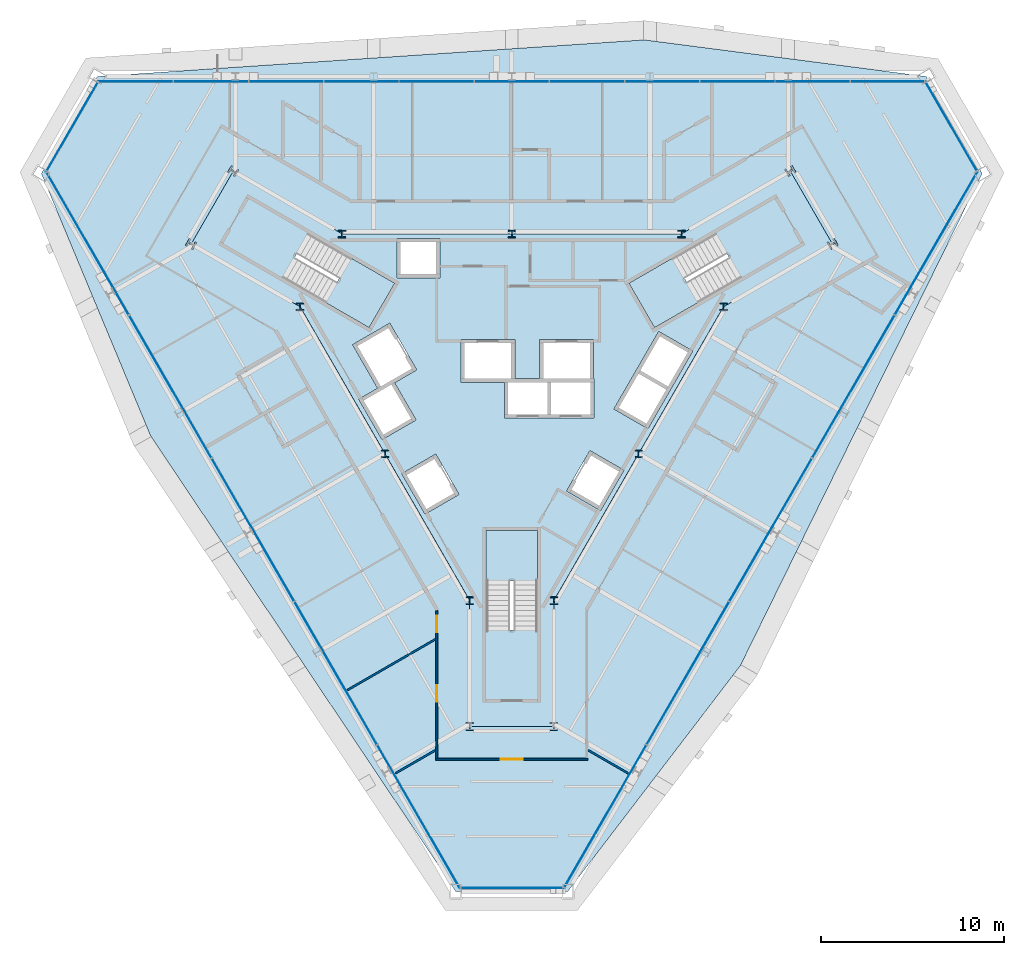
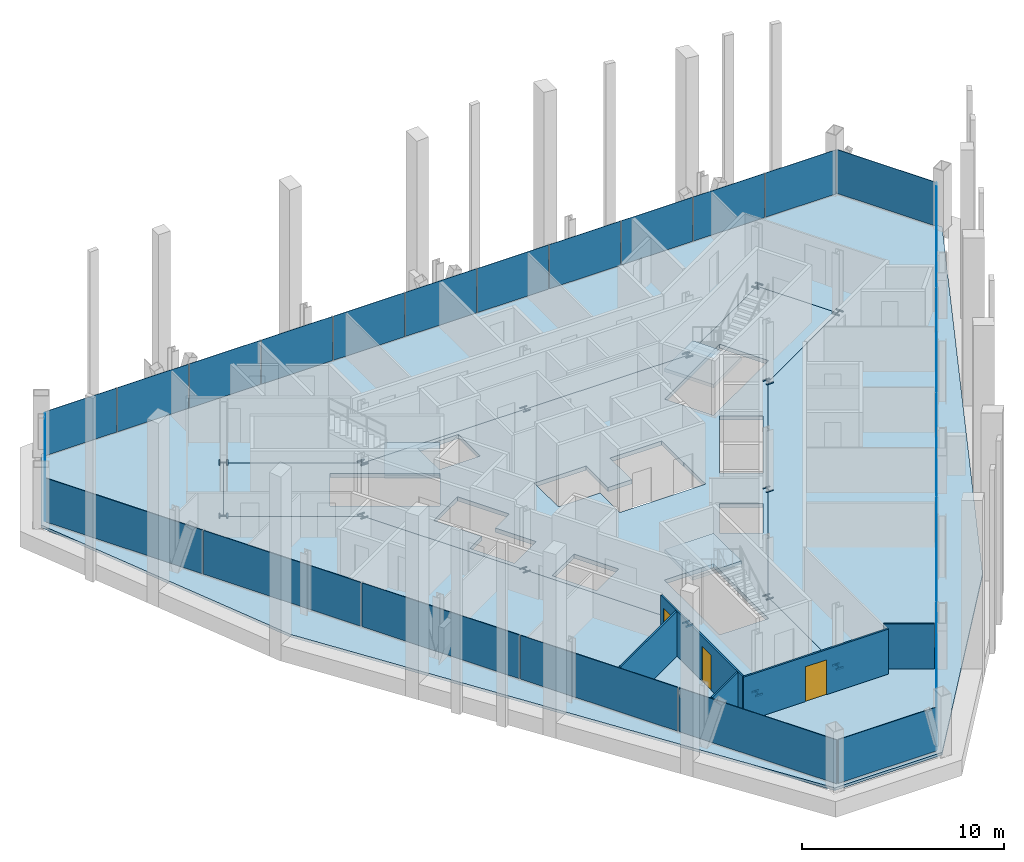
# One storey, part 8 of 14: 24 plates, 15 members, 5 slabs, 5 walls, 3 doors, 3 openings, 9 elements without a shape of their own.
"""IFC4 building model written with IfcOpenShell, lengths in metres."""

import ifcopenshell
import ifcopenshell.guid

model = None  # the IFC model being written
_history = None  # IfcOwnerHistory: only IFC2X3 demands one
_inside = {}  # id of a spatial element -> (the spatial element, [elements in it])
_under = {}  # id of a project, library or spatial element -> (it, [spatial elements below it])
_declared = {}  # id of a project -> (the project, [libraries it declares])
_typed = {}  # id of a type object -> (the type object, [elements of that type])
_made_of = {}  # id of a material, layer set ... -> (it, [elements and type objects made of it])


def new_model(schema):
    """Start an empty IFC model of exactly this schema.

    Asked for "IFC4X3", IfcOpenShell would pick the latest addendum, in which some entities
    have other attributes; the version numbers below select the first issue.
    IFC2X3 requires an IfcOwnerHistory on every rooted entity: one is made here for all.
    """
    global model, _history
    if schema == "IFC4X3":
        model = ifcopenshell.file(schema_version=(4, 3, 0, 0))
    else:
        model = ifcopenshell.file(schema=schema)
    _inside.clear()
    _under.clear()
    _declared.clear()
    _typed.clear()
    _made_of.clear()
    _history = None
    if model.schema == "IFC2X3":
        org = make("IfcOrganization", Name="unknown")
        user = make(
            "IfcPersonAndOrganization",
            ThePerson=make("IfcPerson", FamilyName="unknown"),
            TheOrganization=org,
        )
        app = make(
            "IfcApplication",
            ApplicationDeveloper=org,
            Version="unknown",
            ApplicationFullName="unknown",
            ApplicationIdentifier="unknown",
        )
        _history = make(
            "IfcOwnerHistory",
            OwningUser=user,
            OwningApplication=app,
            ChangeAction="ADDED",
            CreationDate=0,
        )
    return model


def make(cls, **values):
    """One entity of the class cls with the attributes given. An attribute that is None is left unset."""
    return model.create_entity(
        cls, **{name: value for name, value in values.items() if value is not None}
    )


def rooted(cls, **values):
    """An entity with a GlobalId (a new one), such as an element, a storey or a relation."""
    return make(cls, GlobalId=ifcopenshell.guid.new(), OwnerHistory=_history, **values)


def si_unit(unit_type, name, prefix=None):
    """IfcSIUnit, for example si_unit("LENGTHUNIT", "METRE", prefix="MILLI")."""
    return make("IfcSIUnit", UnitType=unit_type, Prefix=prefix, Name=name)


def assignment(units):
    """IfcUnitAssignment: the units of a project."""
    return None if units is None else make("IfcUnitAssignment", Units=units)


def point(xyz):
    """IfcCartesianPoint."""
    return None if xyz is None else make("IfcCartesianPoint", Coordinates=xyz)


def direction(xyz):
    """IfcDirection."""
    return None if xyz is None else make("IfcDirection", DirectionRatios=xyz)


def frame(location, z_axis=None, x_axis=None):
    """IfcAxis2Placement3D, a coordinate frame: its origin and axes. An axis left out is left unset."""
    return make(
        "IfcAxis2Placement3D",
        Location=point(location),
        Axis=direction(z_axis),
        RefDirection=direction(x_axis),
    )


def frame_2d(location, x_axis=None):
    """IfcAxis2Placement2D, a coordinate frame in the plane: its origin and x axis."""
    return make(
        "IfcAxis2Placement2D", Location=point(location), RefDirection=direction(x_axis)
    )


def origin():
    """The frame at (0, 0, 0) with its axes left unset."""
    return frame((0.0, 0.0, 0.0))


def origin_2d():
    """The frame at (0, 0) in the plane with its x axis left unset."""
    return frame_2d((0.0, 0.0))


def place(relative_to, where):
    """IfcLocalPlacement: puts the frame where relative to a parent placement (None: the world)."""
    return make(
        "IfcLocalPlacement", PlacementRelTo=relative_to, RelativePlacement=where
    )


def context(
    kind, dimensions, precision=None, world=None, true_north=None, identifier=None
):
    """IfcGeometricRepresentationContext, for example the 3D "Model" context."""
    return make(
        "IfcGeometricRepresentationContext",
        ContextIdentifier=identifier,
        ContextType=kind,
        CoordinateSpaceDimension=dimensions,
        Precision=precision,
        WorldCoordinateSystem=world,
        TrueNorth=true_north,
    )


def subcontext(parent, identifier, kind, view, scale=None):
    """IfcGeometricRepresentationSubContext, for example "Body" below "Model"."""
    return make(
        "IfcGeometricRepresentationSubContext",
        ContextIdentifier=identifier,
        ContextType=kind,
        ParentContext=parent,
        TargetScale=scale,
        TargetView=view,
    )


def project(units=None, contexts=None):
    """IfcProject with its units and contexts."""
    return rooted(
        "IfcProject",
        Name="project",
        RepresentationContexts=contexts,
        UnitsInContext=assignment(units),
    )


def spatial(cls, under=None, at=None, **own):
    """A site, building, storey or space (cls), placed at a placement, below another one or the project."""
    s = rooted(cls, ObjectPlacement=at, **own)
    if under is not None:
        _under.setdefault(under.id(), (under, []))[1].append(s)
    return s


def polyline(points):
    """IfcPolyline through the points."""
    return make("IfcPolyline", Points=[point(p) for p in points])


def profile(cls, at=None, kind="AREA", **sizes):
    """A parametric profile (cls). Its sizes go by their IFC names, for example OverallWidth=200.0."""
    return make(cls, ProfileType=kind, Position=at, **sizes)


def rectangle(**sizes):
    """IfcRectangleProfileDef."""
    return profile("IfcRectangleProfileDef", **sizes)


def i_section(**sizes):
    """IfcIShapeProfileDef."""
    return profile("IfcIShapeProfileDef", **sizes)


def outline(outer, holes=None, kind="AREA"):
    """IfcArbitraryClosedProfileDef: a profile drawn as a closed curve; with holes, ...WithVoids."""
    if holes is None:
        return make("IfcArbitraryClosedProfileDef", ProfileType=kind, OuterCurve=outer)
    return make(
        "IfcArbitraryProfileDefWithVoids",
        ProfileType=kind,
        OuterCurve=outer,
        InnerCurves=holes,
    )


def extrude(swept, where, along, depth):
    """IfcExtrudedAreaSolid: the profile swept, set in the frame where, extruded along a direction by depth."""
    return make(
        "IfcExtrudedAreaSolid",
        SweptArea=swept,
        Position=where,
        ExtrudedDirection=direction(along),
        Depth=depth,
    )


def shape(context_of_items, identifier, shape_type, items):
    """IfcShapeRepresentation: the items that make up one representation, for example the "Body"."""
    return make(
        "IfcShapeRepresentation",
        ContextOfItems=context_of_items,
        RepresentationIdentifier=identifier,
        RepresentationType=shape_type,
        Items=items,
    )


def material(Name=None, Category=None):
    """IfcMaterial."""
    return make("IfcMaterial", Name=Name, Category=Category)


def layer(
    of_material, thickness, ventilated=None, Name=None, Category=None, Priority=None
):
    """IfcMaterialLayer: one layer of a wall or slab, of a material (None: an air gap)."""
    return make(
        "IfcMaterialLayer",
        Material=of_material,
        LayerThickness=thickness,
        IsVentilated=ventilated,
        Name=Name,
        Category=Category,
        Priority=Priority,
    )


def layer_set(layers, Name=None):
    """IfcMaterialLayerSet."""
    return make("IfcMaterialLayerSet", MaterialLayers=layers, LayerSetName=Name)


def material_profile(
    of_material, cross_section, Name=None, Category=None, Priority=None
):
    """IfcMaterialProfile: a cross section and its material."""
    return make(
        "IfcMaterialProfile",
        Name=Name,
        Material=of_material,
        Profile=cross_section,
        Priority=Priority,
        Category=Category,
    )


def profile_set(profiles, Name=None, composite=None):
    """IfcMaterialProfileSet."""
    return make(
        "IfcMaterialProfileSet",
        Name=Name,
        MaterialProfiles=profiles,
        CompositeProfile=composite,
    )


def made_of(thing, what):
    """Note that an element or type object is made of a material, layer set ...; save() writes the relation."""
    if what is not None:
        _made_of.setdefault(what.id(), (what, []))[1].append(thing)
    return thing


def type_object(cls, material=None, **own):
    """A type object (cls), such as IfcWallType, which elements share."""
    return made_of(rooted(cls, **own), material)


def element(
    cls,
    number,
    at=None,
    inside=None,
    cuts=None,
    type_object=None,
    material=None,
    context=None,
    identifier="Body",
    shape_type=None,
    held_by="IfcProductDefinitionShape",
    body=None,
    shapes=None,
    **own,
):
    """One element of the class cls, such as IfcWall. Its Tag is "e" and its number.

    at: its placement. inside: the storey or other place that contains it. cuts: it is an
    opening in that element (IfcRelVoidsElement). A single representation is given by context,
    identifier, shape_type and body (its items); several are given by shapes. held_by: the class
    of the entity that holds the representations. save() writes the other relations.
    """
    e = rooted(cls, Tag="e%d" % number, ObjectPlacement=at, **own)
    if body is not None:
        shapes = [shape(context, identifier, shape_type, body)]
    if shapes is not None:
        e.Representation = make(held_by, Representations=shapes)
    if inside is not None:
        _inside.setdefault(inside.id(), (inside, []))[1].append(e)
    if cuts is not None:
        rooted(
            "IfcRelVoidsElement", RelatingBuildingElement=cuts, RelatedOpeningElement=e
        )
    if type_object is not None:
        _typed.setdefault(type_object.id(), (type_object, []))[1].append(e)
    return made_of(e, material)


def fill(opening, filler):
    """IfcRelFillsElement: the door or window that sits in an opening."""
    return rooted(
        "IfcRelFillsElement",
        RelatingOpeningElement=opening,
        RelatedBuildingElement=filler,
    )


def aggregate(whole, parts):
    """IfcRelAggregates: a whole, such as a stair, and the parts it consists of."""
    return rooted("IfcRelAggregates", RelatingObject=whole, RelatedObjects=parts)


def save(model, path):
    """Write the relations noted so far, then the file.

    IfcRelAggregates (storeys below a building ...), IfcRelContainedInSpatialStructure (elements
    in a storey), IfcRelDefinesByType, IfcRelAssociatesMaterial and IfcRelDeclares: one each for
    every whole, place, type object, material and project.
    """
    for whole, parts in _under.values():
        aggregate(whole, parts)
    for where, things in _inside.values():
        rooted(
            "IfcRelContainedInSpatialStructure",
            RelatedElements=things,
            RelatingStructure=where,
        )
    for kind, things in _typed.values():
        rooted("IfcRelDefinesByType", RelatedObjects=things, RelatingType=kind)
    for what, things in _made_of.values():
        rooted("IfcRelAssociatesMaterial", RelatedObjects=things, RelatingMaterial=what)
    for by, libraries in _declared.values():
        rooted("IfcRelDeclares", RelatingContext=by, RelatedDefinitions=libraries)
    model.write(path)


model = new_model("IFC4")

# Units and contexts
model_context = context("Model", 3, precision=1e-05, world=origin(), true_north=direction((0.0, 1.0)))
body_context = subcontext(model_context, "Body", "Model", "MODEL_VIEW")
ifc_project = project(units=[si_unit("LENGTHUNIT", "METRE"), si_unit("AREAUNIT", "SQUARE_METRE"), si_unit("VOLUMEUNIT", "CUBIC_METRE"), si_unit("PLANEANGLEUNIT", "RADIAN"), si_unit("MASSUNIT", "GRAM", prefix="KILO")], contexts=[model_context])

# Site, building, storey
site_placement = place(None, origin())
site = spatial("IfcSite", under=ifc_project, at=site_placement, CompositionType="ELEMENT")
building_placement = place(site_placement, origin())
building = spatial("IfcBuilding", under=site, at=building_placement, Name="Verrane Prism Tower", CompositionType="ELEMENT")
storey_placement = place(building_placement, frame((0.0, 0.0, 148.800048828125)))
storey = spatial("IfcBuildingStorey", under=building, at=storey_placement, Name="L36", CompositionType="ELEMENT", Elevation=148.800048828125)

# Members
ifc_material_1 = material(Name="Steel A992", Category="steel")
ifc_material_profile_1 = material_profile(ifc_material_1, i_section(OverallWidth=0.4013671875, OverallDepth=0.398681640625, WebThickness=0.02490234375, FlangeThickness=0.03955078125, FilletRadius=0.01513671875, at=origin_2d()), Name="W14x211")
ifc_profile_set_1 = profile_set([ifc_material_profile_1], Name="Steel A992")
member_type_1 = type_object("IfcMemberType", Name="Kink node W14x211", PredefinedType="COLLAR", material=ifc_profile_set_1)
member_placement = place(storey_placement, frame((0.0, 8.00390625, -0.03515625), z_axis=(0.0, 0.0, 1.0), x_axis=(1.0, 0.0, 0.0)))
element("IfcMember", 1, at=member_placement, inside=storey, type_object=member_type_1, Name="Kink node CC3 L36", PredefinedType="COLLAR", context=body_context, shape_type="SweptSolid", body=[
    extrude(i_section(OverallWidth=0.4013671875, OverallDepth=0.398681640625, WebThickness=0.02490234375, FlangeThickness=0.03955078125, FilletRadius=0.01513671875, at=origin_2d()), origin(), (0.0, 0.0, 1.0), 0.070068359375),
])
for number, where, z_axis, x_axis, name in (
    (2, (11.572021484375, 4.02685546875, -0.06494140625), (0.0, 0.0, 1.0), (1.0, 0.0, 0.0), "Kink node CC3 L36"),
    (3, (9.27197265625, 8.0068359375, -0.06494140625), (0.0, 0.0, 1.0), (1.0, 0.0, 0.0), "Kink node CC3 L36"),
    (4, (-9.27197265625, 8.0068359375, -0.06494140625), (0.0, 0.0, 1.0), (1.0, 0.0, 0.0), "Kink node CC3 L36"),
    (5, (-11.572021484375, 4.02685546875, -0.06494140625), (0.0, 0.0, 1.0), (1.0, 0.0, 0.0), "Kink node CC3 L36"),
):
    element("IfcMember", number, at=place(storey_placement, frame(where, z_axis=z_axis, x_axis=x_axis)), inside=storey, type_object=member_type_1, Name=name, PredefinedType="COLLAR", context=body_context, shape_type="SweptSolid", body=[
        extrude(i_section(OverallWidth=0.4013671875, OverallDepth=0.398681640625, WebThickness=0.02490234375, FlangeThickness=0.03955078125, FilletRadius=0.01513671875, at=origin_2d()), origin(), (0.0, 0.0, 1.0), 0.1298828125),
    ])
for number, where, z_axis, x_axis, name in (
    (6, (6.93359375, -4.002197265625, -0.0400390625), (0.0, 0.0, 1.0), (1.0, 0.0, 0.0), "Kink node CC3 L36"),
    (7, (-6.93359375, -4.002197265625, -0.0400390625), (0.0, 0.0, 1.0), (1.0, 0.0, 0.0), "Kink node CC3 L36"),
):
    element("IfcMember", number, at=place(storey_placement, frame(where, z_axis=z_axis, x_axis=x_axis)), inside=storey, type_object=member_type_1, Name=name, PredefinedType="COLLAR", context=body_context, shape_type="SweptSolid", body=[
        extrude(i_section(OverallWidth=0.4013671875, OverallDepth=0.398681640625, WebThickness=0.02490234375, FlangeThickness=0.03955078125, FilletRadius=0.01513671875, at=origin_2d()), origin(), (0.0, 0.0, 1.0), 0.080078125),
    ])
for number, where, z_axis, x_axis, name in (
    (8, (-2.300048828125, -12.03076171875, -0.050048828125), (0.0, 0.0, 1.0), (1.0, 0.0, 0.0), "Kink node CC3 L36"),
    (9, (2.300048828125, -12.03076171875, -0.050048828125), (0.0, 0.0, 1.0), (1.0, 0.0, 0.0), "Kink node CC3 L36"),
):
    element("IfcMember", number, at=place(storey_placement, frame(where, z_axis=z_axis, x_axis=x_axis)), inside=storey, type_object=member_type_1, Name=name, PredefinedType="COLLAR", context=body_context, shape_type="SweptSolid", body=[
        extrude(i_section(OverallWidth=0.4013671875, OverallDepth=0.398681640625, WebThickness=0.02490234375, FlangeThickness=0.03955078125, FilletRadius=0.01513671875, at=origin_2d()), origin(), (0.0, 0.0, 1.0), 0.10009765625),
    ])
ifc_material_2 = material(Name="Steel A992", Category="steel")
ifc_material_profile_2 = material_profile(ifc_material_2, i_section(OverallWidth=0.411376953125, OverallDepth=0.434326171875, WebThickness=0.035888671875, FlangeThickness=0.057373046875, FilletRadius=0.01513671875, at=origin_2d()), Name="W14x311")
ifc_profile_set_2 = profile_set([ifc_material_profile_2], Name="Steel A992")
member_type_2 = type_object("IfcMemberType", Name="Kink node W14x311", PredefinedType="COLLAR", material=ifc_profile_set_2)
for number, where, z_axis, x_axis, name in (
    (10, (17.5302734375, 7.4658203125, -0.054931640625), (0.0, 0.0, 1.0), (0.5, -0.866025403784, 0.0), "Kink node CK3 L36"),
    (11, (15.230224609375, 11.44580078125, -0.054931640625), (0.0, 0.0, 1.0), (0.5, -0.866025403784, 0.0), "Kink node CK3 L36"),
    (12, (-15.230224609375, 11.44580078125, -0.054931640625), (0.0, 0.0, 1.0), (0.5, 0.866025403784, 0.0), "Kink node CK3 L36"),
    (13, (-17.5302734375, 7.4658203125, -0.054931640625), (0.0, 0.0, 1.0), (0.5, 0.866025403784, 0.0), "Kink node CK3 L36"),
    (14, (-2.300048828125, -18.911865234375, -0.054931640625), (0.0, 0.0, 1.0), (-1.0, 0.0, 0.0), "Kink node CK3 L36"),
    (15, (2.300048828125, -18.911865234375, -0.054931640625), (0.0, 0.0, 1.0), (-1.0, 0.0, 0.0), "Kink node CK3 L36"),
):
    element("IfcMember", number, at=place(storey_placement, frame(where, z_axis=z_axis, x_axis=x_axis)), inside=storey, type_object=member_type_2, Name=name, PredefinedType="COLLAR", context=body_context, shape_type="SweptSolid", body=[
        extrude(i_section(OverallWidth=0.411376953125, OverallDepth=0.434326171875, WebThickness=0.035888671875, FlangeThickness=0.057373046875, FilletRadius=0.01513671875, at=origin_2d()), origin(), (0.0, 0.0, 1.0), 0.10986328125),
    ])

# Slabs
ifc_material_3 = material(Name="Concrete C35/45", Category="concrete")
ifc_layer_1 = layer(ifc_material_3, 0.159912109375)
ifc_layer_set_1 = layer_set([ifc_layer_1], Name="Composite floor slab")
slab_type_1 = type_object("IfcSlabType", Name="Composite floor slab", PredefinedType="FLOOR", material=ifc_layer_set_1)
slab_1_placement = place(storey_placement, frame((0.0, 0.0, -0.16015625)))
element("IfcSlab", 16, at=slab_1_placement, inside=storey, type_object=slab_type_1, Name="Floor slab L36", PredefinedType="FLOOR", context=body_context, shape_type="SweptSolid", body=[
    extrude(outline(polyline([(12.493896484375, -15.580078125), (3.06298828125, -27.914794921875), (-3.06298828125, -27.914794921875), (-19.73974609375, -3.02978515625), (-25.706298828125, 11.3046875), (-22.643310546875, 16.610107421875), (7.245849609375, 18.610107421875), (22.643310546875, 16.610107421875), (25.706298828125, 11.3046875), (12.493896484375, -15.580078125)]), holes=[polyline([(17.52001953125, 7.4599609375), (15.219970703125, 11.43994140625), (9.260009765625, 8.0), (0.0, 8.0), (-9.260009765625, 8.0), (-15.219970703125, 11.43994140625), (-17.52001953125, 7.4599609375), (-11.56005859375, 4.02001953125), (-6.929931640625, -4.0), (-2.300048828125, -12.02001953125), (-2.300048828125, -18.89990234375), (2.300048828125, -18.89990234375), (2.300048828125, -12.02001953125), (6.929931640625, -4.0), (11.56005859375, 4.02001953125), (17.52001953125, 7.4599609375)])]), origin(), (0.0, 0.0, 1.0), 0.16015625),
])
ifc_material_4 = material(Name="Concrete C40/50", Category="concrete")
ifc_layer_2 = layer(ifc_material_4, 0.25)
ifc_layer_set_2 = layer_set([ifc_layer_2], Name="Core floor slab 250 concrete C40/50")
slab_type_2 = type_object("IfcSlabType", Name="Core floor slab 250 concrete C40/50", PredefinedType="FLOOR", material=ifc_layer_set_2)
slab_2_placement = place(storey_placement, frame((0.0, 0.0, -0.25)))
element("IfcSlab", 17, at=slab_2_placement, inside=storey, type_object=slab_type_2, Name="Core floor L36", PredefinedType="FLOOR", context=body_context, shape_type="SweptSolid", body=[
    extrude(outline(polyline([(11.56005859375, 4.02001953125), (17.52001953125, 7.4599609375), (15.219970703125, 11.43994140625), (9.260009765625, 8.0), (0.0, 8.0), (-9.260009765625, 8.0), (-15.219970703125, 11.43994140625), (-17.52001953125, 7.4599609375), (-11.56005859375, 4.02001953125), (-6.929931640625, -4.0), (-2.300048828125, -12.02001953125), (-2.300048828125, -18.89990234375), (2.300048828125, -18.89990234375), (2.300048828125, -12.02001953125), (6.929931640625, -4.0), (11.56005859375, 4.02001953125)]), holes=[polyline([(-2.881103515625, -6.22998046875), (-4.742919921875, -7.304931640625), (-6.01806640625, -5.096923828125), (-4.156005859375, -4.02197265625), (-2.881103515625, -6.22998046875)]), polyline([(-7.801025390625, 2.887939453125), (-12.512939453125, 5.60791015625), (-11.113037109375, 8.031982421875), (-6.40087890625, 5.31201171875), (-7.801025390625, 2.887939453125)]), polyline([(-6.284912109375, 5.610107421875), (-6.284912109375, 7.760009765625), (-3.93505859375, 7.760009765625), (-3.93505859375, 5.610107421875), (-6.284912109375, 5.610107421875)]), polyline([(-1.39990234375, -8.199951171875), (1.39990234375, -8.199951171875), (1.39990234375, -13.639892578125), (-1.39990234375, -13.639892578125), (-1.39990234375, -8.199951171875)]), polyline([(4.26611328125, -3.8310546875), (6.1279296875, -4.906005859375), (4.85302734375, -7.114990234375), (2.990966796875, -6.0400390625), (4.26611328125, -3.8310546875)]), polyline([(9.887939453125, 1.60595703125), (7.43798828125, -2.636962890625), (5.575927734375, -1.56201171875), (8.02587890625, 2.680908203125), (9.887939453125, 1.60595703125)]), polyline([(0.1650390625, 0.10009765625), (1.52490234375, 0.10009765625), (1.52490234375, 2.25), (4.47509765625, 2.25), (4.47509765625, 0.10009765625), (4.4951171875, 0.10009765625), (4.4951171875, -2.050048828125), (-0.405029296875, -2.050048828125), (-0.405029296875, -0.10009765625), (-2.784912109375, -0.10009765625), (-2.784912109375, 2.25), (0.1650390625, 2.25), (0.1650390625, 0.10009765625)]), polyline([(6.40087890625, 5.31201171875), (11.113037109375, 8.031982421875), (12.512939453125, 5.60791015625), (7.801025390625, 2.887939453125), (6.40087890625, 5.31201171875)]), polyline([(-5.23095703125, -2.159912109375), (-7.093017578125, -3.235107421875), (-8.367919921875, -1.02587890625), (-7.3291015625, -0.426025390625), (-8.7041015625, 1.955078125), (-6.66796875, 3.1298828125), (-5.193115234375, 0.574951171875), (-6.406005859375, -0.125), (-5.23095703125, -2.159912109375)])]), origin(), (0.0, 0.0, 1.0), 0.25),
])

# Curtain wall, plates
ifc_material_5 = material(Name="Aluminium framed insulated glazing", Category="aluminium")
curtain_wall_type_1 = type_object("IfcCurtainWallType", Name="Curtain wall CW-C 4200 module", PredefinedType="NOTDEFINED", material=ifc_material_5)
curtain_wall_1_placement = place(storey_placement, origin())
curtain_wall_1 = element("IfcCurtainWall", 18, at=curtain_wall_1_placement, inside=storey, type_object=curtain_wall_type_1, Name="Glazed curtain wall north face L36", PredefinedType="NOTDEFINED")
ifc_material_6 = material(Name="Low-iron insulating glass unit", Category="glass")
ifc_layer_3 = layer(ifc_material_6, 0.02392578125)
ifc_layer_set_3 = layer_set([ifc_layer_3], Name="Glazing panel IGU 24")
plate_type_1 = type_object("IfcPlateType", Name="Glazing panel IGU 24", PredefinedType="CURTAIN_PANEL", material=ifc_layer_set_3)
plate_1_placement = place(storey_placement, frame((20.532470703125, 16.3310546875, 0.0498046875), z_axis=(0.0, 0.0, 1.0), x_axis=(-1.0, 0.0, 0.0)))
plate_1 = element("IfcPlate", 19, at=plate_1_placement, type_object=plate_type_1, Name="CW36.2 panel 1", PredefinedType="CURTAIN_PANEL", context=body_context, shape_type="SweptSolid", body=[
    extrude(rectangle(XDim=4.033935546875, YDim=0.02392578125, at=origin_2d()), origin(), (0.0, 0.0, 1.0), 2.662841796875),
])
plate_2_placement = place(storey_placement, frame((16.43603515625, 16.3310546875, 0.0498046875), z_axis=(0.0, 0.0, 1.0), x_axis=(-1.0, 0.0, 0.0)))
plate_2 = element("IfcPlate", 20, at=plate_2_placement, type_object=plate_type_1, Name="CW36.2 panel 2", PredefinedType="CURTAIN_PANEL", context=body_context, shape_type="SweptSolid", body=[
    extrude(rectangle(XDim=4.05908203125, YDim=0.02392578125, at=origin_2d()), origin(), (0.0, 0.0, 1.0), 2.662841796875),
])
plate_3_placement = place(storey_placement, frame((12.3271484375, 16.3310546875, 0.0498046875), z_axis=(0.0, 0.0, 1.0), x_axis=(-1.0, 0.0, 0.0)))
plate_3 = element("IfcPlate", 21, at=plate_3_placement, type_object=plate_type_1, Name="CW36.2 panel 3", PredefinedType="CURTAIN_PANEL", context=body_context, shape_type="SweptSolid", body=[
    extrude(rectangle(XDim=4.05908203125, YDim=0.02392578125, at=origin_2d()), origin(), (0.0, 0.0, 1.0), 2.662841796875),
])
plate_4_placement = place(storey_placement, frame((8.218017578125, 16.3310546875, 0.0498046875), z_axis=(0.0, 0.0, 1.0), x_axis=(-1.0, 0.0, 0.0)))
plate_4 = element("IfcPlate", 22, at=plate_4_placement, type_object=plate_type_1, Name="CW36.2 panel 4", PredefinedType="CURTAIN_PANEL", context=body_context, shape_type="SweptSolid", body=[
    extrude(rectangle(XDim=4.05908203125, YDim=0.02392578125, at=origin_2d()), origin(), (0.0, 0.0, 1.0), 2.662841796875),
])
plate_5_placement = place(storey_placement, frame((4.109130859375, 16.3310546875, 0.0498046875), z_axis=(0.0, 0.0, 1.0), x_axis=(-1.0, 0.0, 0.0)))
plate_5 = element("IfcPlate", 23, at=plate_5_placement, type_object=plate_type_1, Name="CW36.2 panel 5", PredefinedType="CURTAIN_PANEL", context=body_context, shape_type="SweptSolid", body=[
    extrude(rectangle(XDim=4.05908203125, YDim=0.02392578125, at=origin_2d()), origin(), (0.0, 0.0, 1.0), 2.662841796875),
])
plate_6_placement = place(storey_placement, frame((0.0, 16.3310546875, 0.0498046875), z_axis=(0.0, 0.0, 1.0), x_axis=(-1.0, 0.0, 0.0)))
plate_6 = element("IfcPlate", 24, at=plate_6_placement, type_object=plate_type_1, Name="CW36.2 panel 6", PredefinedType="CURTAIN_PANEL", context=body_context, shape_type="SweptSolid", body=[
    extrude(rectangle(XDim=4.05908203125, YDim=0.02392578125, at=origin_2d()), origin(), (0.0, 0.0, 1.0), 2.662841796875),
])
plate_7_placement = place(storey_placement, frame((-4.109130859375, 16.3310546875, 0.0498046875), z_axis=(0.0, 0.0, 1.0), x_axis=(-1.0, 0.0, 0.0)))
plate_7 = element("IfcPlate", 25, at=plate_7_placement, type_object=plate_type_1, Name="CW36.2 panel 7", PredefinedType="CURTAIN_PANEL", context=body_context, shape_type="SweptSolid", body=[
    extrude(rectangle(XDim=4.05908203125, YDim=0.02392578125, at=origin_2d()), origin(), (0.0, 0.0, 1.0), 2.662841796875),
])
plate_8_placement = place(storey_placement, frame((-8.218017578125, 16.3310546875, 0.0498046875), z_axis=(0.0, 0.0, 1.0), x_axis=(-1.0, 0.0, 0.0)))
plate_8 = element("IfcPlate", 26, at=plate_8_placement, type_object=plate_type_1, Name="CW36.2 panel 8", PredefinedType="CURTAIN_PANEL", context=body_context, shape_type="SweptSolid", body=[
    extrude(rectangle(XDim=4.05908203125, YDim=0.02392578125, at=origin_2d()), origin(), (0.0, 0.0, 1.0), 2.662841796875),
])
plate_9_placement = place(storey_placement, frame((-12.3271484375, 16.3310546875, 0.0498046875), z_axis=(0.0, 0.0, 1.0), x_axis=(-1.0, 0.0, 0.0)))
plate_9 = element("IfcPlate", 27, at=plate_9_placement, type_object=plate_type_1, Name="CW36.2 panel 9", PredefinedType="CURTAIN_PANEL", context=body_context, shape_type="SweptSolid", body=[
    extrude(rectangle(XDim=4.05908203125, YDim=0.02392578125, at=origin_2d()), origin(), (0.0, 0.0, 1.0), 2.662841796875),
])
plate_10_placement = place(storey_placement, frame((-16.43603515625, 16.3310546875, 0.0498046875), z_axis=(0.0, 0.0, 1.0), x_axis=(-1.0, 0.0, 0.0)))
plate_10 = element("IfcPlate", 28, at=plate_10_placement, type_object=plate_type_1, Name="CW36.2 panel 10", PredefinedType="CURTAIN_PANEL", context=body_context, shape_type="SweptSolid", body=[
    extrude(rectangle(XDim=4.05908203125, YDim=0.02392578125, at=origin_2d()), origin(), (0.0, 0.0, 1.0), 2.662841796875),
])
plate_11_placement = place(storey_placement, frame((-20.5576171875, 16.3310546875, 0.0498046875), z_axis=(0.0, 0.0, 1.0), x_axis=(-1.0, 0.0, 0.0)))
plate_11 = element("IfcPlate", 29, at=plate_11_placement, type_object=plate_type_1, Name="CW36.2 panel 11", PredefinedType="CURTAIN_PANEL", context=body_context, shape_type="SweptSolid", body=[
    extrude(rectangle(XDim=4.083984375, YDim=0.02392578125, at=origin_2d()), origin(), (0.0, 0.0, 1.0), 2.662841796875),
])
aggregate(curtain_wall_1, [plate_1, plate_2, plate_3, plate_4, plate_5, plate_6, plate_7, plate_8, plate_9, plate_10, plate_11])

# Curtain wall, plate
ifc_material_7 = material(Name="Aluminium framed insulated glazing", Category="aluminium")
curtain_wall_type_2 = type_object("IfcCurtainWallType", Name="Curtain wall CW-A 8400 module", PredefinedType="NOTDEFINED", material=ifc_material_7)
curtain_wall_2_placement = place(storey_placement, origin())
curtain_wall_2 = element("IfcCurtainWall", 30, at=curtain_wall_2_placement, inside=storey, type_object=curtain_wall_type_2, Name="Glazed curtain wall north-east corner L36", PredefinedType="NOTDEFINED")
ifc_material_8 = material(Name="Low-iron insulating glass unit", Category="glass")
ifc_layer_4 = layer(ifc_material_8, 0.031982421875)
ifc_layer_set_4 = layer_set([ifc_layer_4], Name="Glazing panel IGU 32")
plate_type_2 = type_object("IfcPlateType", Name="Glazing panel IGU 32", PredefinedType="CURTAIN_PANEL", material=ifc_layer_set_4)
plate_12_placement = place(storey_placement, frame((24.003662109375, 13.89892578125, 0.06982421875), z_axis=(0.0, 0.0, 1.0), x_axis=(-0.50000305052, 0.866023642559, 0.0)))
plate_12 = element("IfcPlate", 31, at=plate_12_placement, type_object=plate_type_2, Name="CW36.1 panel 1", PredefinedType="CURTAIN_PANEL", context=body_context, shape_type="SweptSolid", body=[
    extrude(rectangle(XDim=5.616455078125, YDim=0.031982421875, at=origin_2d()), origin(), (0.0, 0.0, 1.0), 2.642822265625),
])
aggregate(curtain_wall_2, [plate_12])

curtain_wall_3_placement = place(storey_placement, origin())
curtain_wall_3 = element("IfcCurtainWall", 32, at=curtain_wall_3_placement, inside=storey, type_object=curtain_wall_type_2, Name="Glazed curtain wall north-west corner L36", PredefinedType="NOTDEFINED")
plate_13_placement = place(storey_placement, frame((-24.038818359375, 13.83837890625, 0.06982421875), z_axis=(0.0, 0.0, 1.0), x_axis=(-0.50000305052, -0.866023642559, 0.0)))
plate_13 = element("IfcPlate", 33, at=plate_13_placement, type_object=plate_type_2, Name="CW36.3 panel 1", PredefinedType="CURTAIN_PANEL", context=body_context, shape_type="SweptSolid", body=[
    extrude(rectangle(XDim=5.616455078125, YDim=0.031982421875, at=origin_2d()), origin(), (0.0, 0.0, 1.0), 2.642822265625),
])
aggregate(curtain_wall_3, [plate_13])

# Curtain wall, plates
curtain_wall_4_placement = place(storey_placement, origin())
curtain_wall_4 = element("IfcCurtainWall", 34, at=curtain_wall_4_placement, inside=storey, type_object=curtain_wall_type_2, Name="Glazed curtain wall south-west face L36", PredefinedType="NOTDEFINED")
plate_14_placement = place(storey_placement, frame((-23.174072265625, 7.476806640625, 0.06982421875), z_axis=(0.0, 0.0, 1.0), x_axis=(0.500000531035, -0.866025097191, 0.0)))
plate_14 = element("IfcPlate", 35, at=plate_14_placement, type_object=plate_type_2, Name="CW36.4 panel 1", PredefinedType="CURTAIN_PANEL", context=body_context, shape_type="SweptSolid", body=[
    extrude(rectangle(XDim=8.934814453125, YDim=0.031982421875, at=origin_2d()), origin(), (0.0, 0.0, 1.0), 2.642822265625),
])
plate_15_placement = place(storey_placement, frame((-18.6630859375, -0.336669921875, 0.06982421875), z_axis=(0.0, 0.0, 1.0), x_axis=(0.500000531035, -0.866025097191, 0.0)))
plate_15 = element("IfcPlate", 36, at=plate_15_placement, type_object=plate_type_2, Name="CW36.4 panel 2", PredefinedType="CURTAIN_PANEL", context=body_context, shape_type="SweptSolid", body=[
    extrude(rectangle(XDim=8.9697265625, YDim=0.031982421875, at=origin_2d()), origin(), (0.0, 0.0, 1.0), 2.642822265625),
])
plate_16_placement = place(storey_placement, frame((-14.14306640625, -8.16552734375, 0.06982421875), z_axis=(0.0, 0.0, 1.0), x_axis=(0.500000531035, -0.866025097191, 0.0)))
plate_16 = element("IfcPlate", 37, at=plate_16_placement, type_object=plate_type_2, Name="CW36.4 panel 3", PredefinedType="CURTAIN_PANEL", context=body_context, shape_type="SweptSolid", body=[
    extrude(rectangle(XDim=8.9697265625, YDim=0.031982421875, at=origin_2d()), origin(), (0.0, 0.0, 1.0), 2.642822265625),
])
plate_17_placement = place(storey_placement, frame((-9.623291015625, -15.994140625, 0.06982421875), z_axis=(0.0, 0.0, 1.0), x_axis=(0.500000531035, -0.866025097191, 0.0)))
plate_17 = element("IfcPlate", 38, at=plate_17_placement, type_object=plate_type_2, Name="CW36.4 panel 4", PredefinedType="CURTAIN_PANEL", context=body_context, shape_type="SweptSolid", body=[
    extrude(rectangle(XDim=8.9697265625, YDim=0.031982421875, at=origin_2d()), origin(), (0.0, 0.0, 1.0), 2.642822265625),
])
plate_18_placement = place(storey_placement, frame((-5.094482421875, -23.838134765625, 0.06982421875), z_axis=(0.0, 0.0, 1.0), x_axis=(0.500000531035, -0.866025097191, 0.0)))
plate_18 = element("IfcPlate", 39, at=plate_18_placement, type_object=plate_type_2, Name="CW36.4 panel 5", PredefinedType="CURTAIN_PANEL", context=body_context, shape_type="SweptSolid", body=[
    extrude(rectangle(XDim=9.0048828125, YDim=0.031982421875, at=origin_2d()), origin(), (0.0, 0.0, 1.0), 2.642822265625),
])
aggregate(curtain_wall_4, [plate_14, plate_15, plate_16, plate_17, plate_18])

# Curtain wall, plate
curtain_wall_5_placement = place(storey_placement, origin())
curtain_wall_5 = element("IfcCurtainWall", 40, at=curtain_wall_5_placement, inside=storey, type_object=curtain_wall_type_2, Name="Glazed curtain wall south corner L36", PredefinedType="NOTDEFINED")
plate_19_placement = place(storey_placement, frame((0.034912109375, -27.7373046875, 0.06982421875), z_axis=(0.0, 0.0, 1.0), x_axis=(1.0, 0.0, 0.0)))
plate_19 = element("IfcPlate", 41, at=plate_19_placement, type_object=plate_type_2, Name="CW36.5 panel 1", PredefinedType="CURTAIN_PANEL", context=body_context, shape_type="SweptSolid", body=[
    extrude(rectangle(XDim=5.61669921875, YDim=0.031982421875, at=origin_2d()), origin(), (0.0, 0.0, 1.0), 2.642822265625),
])
aggregate(curtain_wall_5, [plate_19])

# Curtain wall, plates
curtain_wall_6_placement = place(storey_placement, origin())
curtain_wall_6 = element("IfcCurtainWall", 42, at=curtain_wall_6_placement, inside=storey, type_object=curtain_wall_type_2, Name="Glazed curtain wall south-east face L36", PredefinedType="NOTDEFINED")
plate_20_placement = place(storey_placement, frame((5.112060546875, -23.807861328125, 0.06982421875), z_axis=(0.0, 0.0, 1.0), x_axis=(0.500000531035, 0.866025097191, 0.0)))
plate_20 = element("IfcPlate", 43, at=plate_20_placement, type_object=plate_type_2, Name="CW36.6 panel 1", PredefinedType="CURTAIN_PANEL", context=body_context, shape_type="SweptSolid", body=[
    extrude(rectangle(XDim=8.934814453125, YDim=0.031982421875, at=origin_2d()), origin(), (0.0, 0.0, 1.0), 2.642822265625),
])
plate_21_placement = place(storey_placement, frame((9.623291015625, -15.994140625, 0.06982421875), z_axis=(0.0, 0.0, 1.0), x_axis=(0.500000531035, 0.866025097191, 0.0)))
plate_21 = element("IfcPlate", 44, at=plate_21_placement, type_object=plate_type_2, Name="CW36.6 panel 2", PredefinedType="CURTAIN_PANEL", context=body_context, shape_type="SweptSolid", body=[
    extrude(rectangle(XDim=8.9697265625, YDim=0.031982421875, at=origin_2d()), origin(), (0.0, 0.0, 1.0), 2.642822265625),
])
plate_22_placement = place(storey_placement, frame((14.14306640625, -8.16552734375, 0.06982421875), z_axis=(0.0, 0.0, 1.0), x_axis=(0.500000531035, 0.866025097191, 0.0)))
plate_22 = element("IfcPlate", 45, at=plate_22_placement, type_object=plate_type_2, Name="CW36.6 panel 3", PredefinedType="CURTAIN_PANEL", context=body_context, shape_type="SweptSolid", body=[
    extrude(rectangle(XDim=8.9697265625, YDim=0.031982421875, at=origin_2d()), origin(), (0.0, 0.0, 1.0), 2.642822265625),
])
plate_23_placement = place(storey_placement, frame((18.6630859375, -0.336669921875, 0.06982421875), z_axis=(0.0, 0.0, 1.0), x_axis=(0.500000531035, 0.866025097191, 0.0)))
plate_23 = element("IfcPlate", 46, at=plate_23_placement, type_object=plate_type_2, Name="CW36.6 panel 4", PredefinedType="CURTAIN_PANEL", context=body_context, shape_type="SweptSolid", body=[
    extrude(rectangle(XDim=8.9697265625, YDim=0.031982421875, at=origin_2d()), origin(), (0.0, 0.0, 1.0), 2.642822265625),
])
plate_24_placement = place(storey_placement, frame((23.191650390625, 7.507080078125, 0.06982421875), z_axis=(0.0, 0.0, 1.0), x_axis=(0.500000531035, 0.866025097191, 0.0)))
plate_24 = element("IfcPlate", 47, at=plate_24_placement, type_object=plate_type_2, Name="CW36.6 panel 5", PredefinedType="CURTAIN_PANEL", context=body_context, shape_type="SweptSolid", body=[
    extrude(rectangle(XDim=9.0048828125, YDim=0.031982421875, at=origin_2d()), origin(), (0.0, 0.0, 1.0), 2.642822265625),
])
aggregate(curtain_wall_6, [plate_20, plate_21, plate_22, plate_23, plate_24])

# Stair, slab
ifc_material_9 = material(Name="Concrete C40/50", Category="concrete")
stair_type = type_object("IfcStairType", Name="Exit stair 1300 dog-leg precast concrete C40/50", PredefinedType="HALF_TURN_STAIR", material=ifc_material_9)
stair_1_placement = place(storey_placement, origin())
stair_1 = element("IfcStair", 48, at=stair_1_placement, inside=storey, type_object=stair_type, Name="Stair 1 L36", PredefinedType="HALF_TURN_STAIR")
ifc_material_10 = material(Name="Concrete C40/50", Category="concrete")
ifc_layer_5 = layer(ifc_material_10, 0.199951171875)
ifc_layer_set_5 = layer_set([ifc_layer_5], Name="Stair landing 200 precast concrete C40/50")
slab_type_3 = type_object("IfcSlabType", Name="Stair landing 200 precast concrete C40/50", PredefinedType="LANDING", material=ifc_layer_set_5)
slab_3_placement = place(storey_placement, frame((0.0, 0.0, 1.64990234375)))
slab_3 = element("IfcSlab", 49, at=slab_3_placement, type_object=slab_type_3, Name="Stair 1 landing 1", PredefinedType="LANDING", context=body_context, shape_type="SweptSolid", body=[
    extrude(outline(polyline([(8.791748046875, 6.6923828125), (6.4013671875, 5.3125), (7.801513671875, 2.887451171875), (10.191650390625, 4.267578125), (8.791748046875, 6.6923828125)])), origin(), (0.0, 0.0, 1.0), 0.199951171875),
])
aggregate(stair_1, [slab_3])

stair_2_placement = place(storey_placement, origin())
stair_2 = element("IfcStair", 50, at=stair_2_placement, inside=storey, type_object=stair_type, Name="Stair 2 L36", PredefinedType="HALF_TURN_STAIR")
slab_4_placement = place(storey_placement, frame((0.0, 0.0, 1.64990234375)))
slab_4 = element("IfcSlab", 51, at=slab_4_placement, type_object=slab_type_3, Name="Stair 2 landing 1", PredefinedType="LANDING", context=body_context, shape_type="SweptSolid", body=[
    extrude(outline(polyline([(-10.191650390625, 4.267578125), (-7.801513671875, 2.887451171875), (-6.4013671875, 5.3125), (-8.791748046875, 6.6923828125), (-10.191650390625, 4.267578125)])), origin(), (0.0, 0.0, 1.0), 0.199951171875),
])
aggregate(stair_2, [slab_4])

stair_3_placement = place(storey_placement, origin())
stair_3 = element("IfcStair", 52, at=stair_3_placement, inside=storey, type_object=stair_type, Name="Stair 3 L36", PredefinedType="HALF_TURN_STAIR")
slab_5_placement = place(storey_placement, frame((0.0, 0.0, 1.64990234375)))
slab_5 = element("IfcSlab", 53, at=slab_5_placement, type_object=slab_type_3, Name="Stair 3 landing 1", PredefinedType="LANDING", context=body_context, shape_type="SweptSolid", body=[
    extrude(outline(polyline([(1.39990234375, -10.9599609375), (1.39990234375, -8.199951171875), (-1.39990234375, -8.199951171875), (-1.39990234375, -10.9599609375), (1.39990234375, -10.9599609375)])), origin(), (0.0, 0.0, 1.0), 0.199951171875),
])
aggregate(stair_3, [slab_5])

# Walls
ifc_material_11 = material(Name="Gypsum board partition", Category="other")
ifc_layer_6 = layer(ifc_material_11, 0.10009765625)
ifc_layer_set_6 = layer_set([ifc_layer_6], Name="PW-100 room partition")
wall_type = type_object("IfcWallType", Name="PW-100 room partition", PredefinedType="PARTITIONING", material=ifc_layer_set_6)
wall_1_placement = place(storey_placement, frame((-8.979248046875, -16.917724609375, 0.0), z_axis=(0.0, 0.0, 1.0), x_axis=(0.866046339293, 0.499963736882, 0.0)))
element("IfcWall", 54, at=wall_1_placement, inside=storey, type_object=wall_type, Name="Room partition 019", PredefinedType="PARTITIONING", context=body_context, shape_type="SweptSolid", body=[
    extrude(rectangle(XDim=5.54736328125, YDim=0.10009765625, at=frame_2d((2.773681640625, 0.0))), origin(), (0.0, 0.0, 1.0), 2.712890625),
])
wall_2_placement = place(storey_placement, frame((-6.35400390625, -21.465087890625, 0.0), z_axis=(0.0, 0.0, 1.0), x_axis=(0.866061165757, 0.499938053331, 0.0)))
element("IfcWall", 55, at=wall_2_placement, inside=storey, type_object=wall_type, Name="Room partition 022", PredefinedType="PARTITIONING", context=body_context, shape_type="SweptSolid", body=[
    extrude(rectangle(XDim=2.515869140625, YDim=0.10009765625, at=frame_2d((1.2578125, 0.0))), origin(), (0.0, 0.0, 1.0), 2.712890625),
])

# Wall, openings, doors
wall_3_placement = place(storey_placement, frame((-4.10009765625, -20.64990234375, 0.0), z_axis=(0.0, 0.0, 1.0), x_axis=(0.0, 1.0, 0.0)))
wall_3 = element("IfcWall", 56, at=wall_3_placement, inside=storey, type_object=wall_type, Name="Room partition 024", PredefinedType="PARTITIONING", context=body_context, shape_type="SweptSolid", body=[
    extrude(rectangle(XDim=8.06298828125, YDim=0.10009765625, at=frame_2d((4.031494140625, 0.0))), origin(), (0.0, 0.0, 1.0), 2.712890625),
])
opening_1_placement = place(wall_3_placement, frame((6.89892578125, 0.0, 0.0)))
opening_1 = element("IfcOpeningElement", 57, at=opening_1_placement, cuts=wall_3, Name="Opening D36027", PredefinedType="OPENING", context=body_context, shape_type="SweptSolid", body=[
    extrude(rectangle(XDim=0.89990234375, YDim=2.10009765625, at=frame_2d((0.449951171875, 1.050048828125))), frame((0.0, 0.06005859375, 0.0), z_axis=(0.0, -1.0, 0.0), x_axis=(1.0, 0.0, 0.0)), (0.0, 0.0, 1.0), 0.1201171875),
])
opening_2_placement = place(wall_3_placement, frame((3.0859375, 0.0, 0.0)))
opening_2 = element("IfcOpeningElement", 58, at=opening_2_placement, cuts=wall_3, Name="Opening D36028", PredefinedType="OPENING", context=body_context, shape_type="SweptSolid", body=[
    extrude(rectangle(XDim=0.89990234375, YDim=2.10009765625, at=frame_2d((0.449951171875, 1.050048828125))), frame((0.0, 0.06005859375, 0.0), z_axis=(0.0, -1.0, 0.0), x_axis=(1.0, 0.0, 0.0)), (0.0, 0.0, 1.0), 0.1201171875),
])
ifc_material_12 = material(Name="Timber veneered door leaf", Category="wood")
door_type_1 = type_object("IfcDoorType", Name="DR-900x2100 single leaf unit", OperationType="NOTDEFINED", PredefinedType="DOOR", material=ifc_material_12)
door_1_placement = place(opening_1_placement, origin())
door_1 = element("IfcDoor", 59, at=door_1_placement, inside=storey, type_object=door_type_1, Name="Study door", OperationType="SINGLE_SWING_LEFT", OverallHeight=2.10009765625, OverallWidth=0.89990234375, PredefinedType="DOOR", context=body_context, shape_type="SweptSolid", body=[
    extrude(rectangle(XDim=0.89990234375, YDim=2.10009765625, at=frame_2d((0.449951171875, 1.050048828125))), frame((0.0, 0.02490234375, 0.0), z_axis=(0.0, -1.0, 0.0), x_axis=(1.0, 0.0, 0.0)), (0.0, 0.0, 1.0), 0.050048828125),
])
fill(opening_1, door_1)
door_2_placement = place(opening_2_placement, origin())
door_2 = element("IfcDoor", 60, at=door_2_placement, inside=storey, type_object=door_type_1, Name="Study door", OperationType="SINGLE_SWING_RIGHT", OverallHeight=2.10009765625, OverallWidth=0.89990234375, PredefinedType="DOOR", context=body_context, shape_type="SweptSolid", body=[
    extrude(rectangle(XDim=0.89990234375, YDim=2.10009765625, at=frame_2d((0.449951171875, 1.050048828125))), frame((0.0, 0.02490234375, 0.0), z_axis=(0.0, -1.0, 0.0), x_axis=(1.0, 0.0, 0.0)), (0.0, 0.0, 1.0), 0.050048828125),
])
fill(opening_2, door_2)

# Wall, opening, door
wall_4_placement = place(storey_placement, frame((4.14990234375, -20.699951171875, 0.0), z_axis=(0.0, 0.0, 1.0), x_axis=(-1.0, 0.0, 0.0)))
wall_4 = element("IfcWall", 61, at=wall_4_placement, inside=storey, type_object=wall_type, Name="Room partition 025", PredefinedType="PARTITIONING", context=body_context, shape_type="SweptSolid", body=[
    extrude(rectangle(XDim=8.2998046875, YDim=0.10009765625, at=frame_2d((4.14990234375, 0.0))), origin(), (0.0, 0.0, 1.0), 2.712890625),
])
opening_3_placement = place(wall_4_placement, frame((3.550048828125, 0.0, 0.0)))
opening_3 = element("IfcOpeningElement", 62, at=opening_3_placement, cuts=wall_4, Name="Opening D36029", PredefinedType="OPENING", context=body_context, shape_type="SweptSolid", body=[
    extrude(rectangle(XDim=1.199951171875, YDim=2.10009765625, at=frame_2d((0.60009765625, 1.050048828125))), frame((0.0, 0.06005859375, 0.0), z_axis=(0.0, -1.0, 0.0), x_axis=(1.0, 0.0, 0.0)), (0.0, 0.0, 1.0), 0.1201171875),
])
ifc_material_13 = material(Name="Timber veneered door leaf", Category="wood")
door_type_2 = type_object("IfcDoorType", Name="DR-1200x2100 single leaf unit", OperationType="NOTDEFINED", PredefinedType="DOOR", material=ifc_material_13)
door_3_placement = place(opening_3_placement, origin())
door_3 = element("IfcDoor", 63, at=door_3_placement, inside=storey, type_object=door_type_2, Name="Living And Dining Room door", OperationType="SINGLE_SWING_RIGHT", OverallHeight=2.10009765625, OverallWidth=1.199951171875, PredefinedType="DOOR", context=body_context, shape_type="SweptSolid", body=[
    extrude(rectangle(XDim=1.199951171875, YDim=2.10009765625, at=frame_2d((0.60009765625, 1.050048828125))), frame((0.0, 0.02490234375, 0.0), z_axis=(0.0, -1.0, 0.0), x_axis=(1.0, 0.0, 0.0)), (0.0, 0.0, 1.0), 0.050048828125),
])
fill(opening_3, door_3)

# Wall
wall_5_placement = place(storey_placement, frame((4.175048828125, -20.207275390625, 0.0), z_axis=(0.0, 0.0, 1.0), x_axis=(0.866061165757, -0.499938053331, 0.0)))
element("IfcWall", 64, at=wall_5_placement, inside=storey, type_object=wall_type, Name="Room partition 030", PredefinedType="PARTITIONING", context=body_context, shape_type="SweptSolid", body=[
    extrude(rectangle(XDim=2.515869140625, YDim=0.10009765625, at=frame_2d((1.2578125, 0.0))), origin(), (0.0, 0.0, 1.0), 2.712890625),
])

save(model, "model.ifc")
